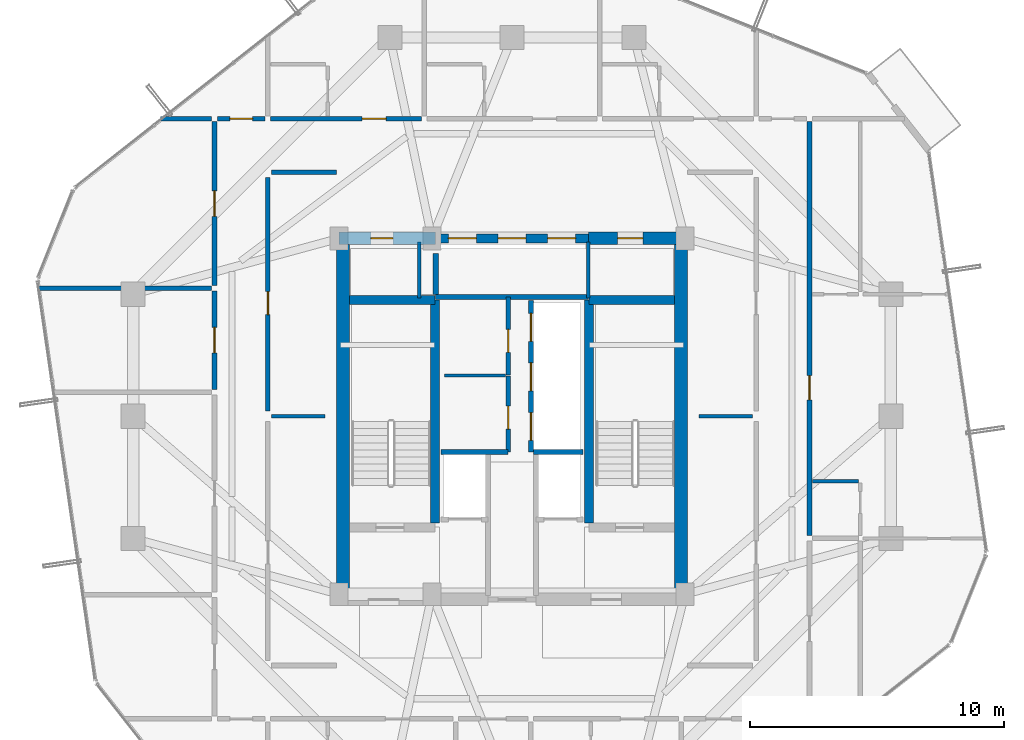
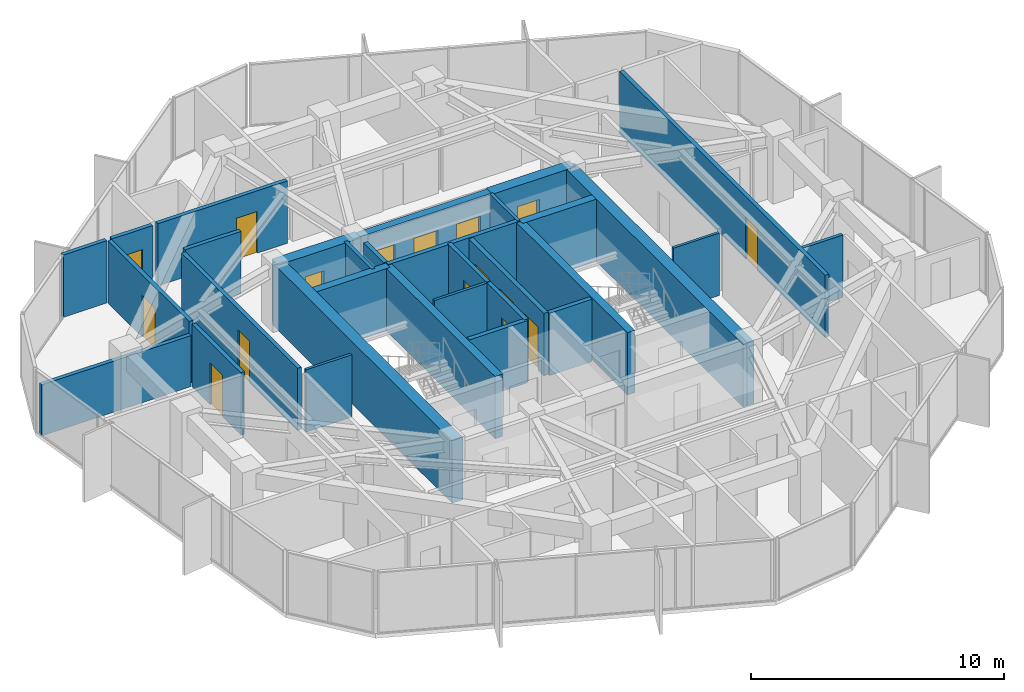
# One storey, part 28 of 31: 31 walls, 16 doors, 16 openings.
"""IFC4 building model written with IfcOpenShell, lengths in metres."""

from ifc_helpers import new_model, si_unit, direction, frame, frame_2d, origin, place, context, subcontext, project, spatial, rectangle, extrude, source, transform, mapped, material, layer, layer_set, type_object, element, fill, save


model = new_model("IFC4")

# Units and contexts
model_context = context("Model", 3, precision=1e-05, world=origin(), true_north=direction((0.0, 1.0)))
body_context = subcontext(model_context, "Body", "Model", "MODEL_VIEW")
ifc_project = project(units=[si_unit("LENGTHUNIT", "METRE"), si_unit("AREAUNIT", "SQUARE_METRE"), si_unit("VOLUMEUNIT", "CUBIC_METRE"), si_unit("PLANEANGLEUNIT", "RADIAN"), si_unit("MASSUNIT", "GRAM", prefix="KILO")], contexts=[model_context])

# Site, building, storey
site_placement = place(None, origin())
site = spatial("IfcSite", under=ifc_project, at=site_placement, CompositionType="ELEMENT")
building_placement = place(site_placement, origin())
building = spatial("IfcBuilding", under=site, at=building_placement, Name="Veraguas Prism Commons", CompositionType="ELEMENT")
storey_placement = place(building_placement, frame((0.0, 0.0, 178.85009765625)))
storey = spatial("IfcBuildingStorey", under=building, at=storey_placement, Name="L50", CompositionType="ELEMENT", Elevation=178.85009765625)

# Wall, openings, doors
ifc_material_1 = material(Name="Concrete C50/60", Category="concrete")
ifc_layer_1 = layer(ifc_material_1, 0.35009765625, Name="Core Internal Shear Wall Upper RC 350", Category="concrete")
ifc_layer_set_1 = layer_set([ifc_layer_1], Name="Concrete C50/60")
wall_type_1 = type_object("IfcWallType", Name="Core Internal Shear Wall Upper RC 350", PredefinedType="SHEAR", material=ifc_layer_set_1)
wall_1_placement = place(storey_placement, frame((21.0, 31.0, 0.0), z_axis=(0.0, 0.0, 1.0), x_axis=(1.0, 0.0, 0.0)))
wall_1 = element("IfcWall", 1, at=wall_1_placement, inside=storey, type_object=wall_type_1, Name="High-Rise Lift Bank Front Shear Wall L50", PredefinedType="SHEAR", context=body_context, shape_type="SweptSolid", body=[
    extrude(rectangle(XDim=6.0, YDim=0.35009765625, at=frame_2d((3.0, 0.0))), origin(), (0.0, 0.0, 1.0), 3.014892578125),
])
opening_1_placement = place(wall_1_placement, frame((0.5, 0.0, 0.0)))
opening_1 = element("IfcOpeningElement", 2, at=opening_1_placement, cuts=wall_1, Name="Opening LD-01", PredefinedType="OPENING", context=body_context, shape_type="SweptSolid", body=[
    extrude(rectangle(XDim=1.10009765625, YDim=2.080078125, at=frame_2d((0.550048828125, 1.0400390625))), frame((0.0, 0.18505859375, 0.0), z_axis=(0.0, -1.0, 0.0), x_axis=(1.0, 0.0, 0.0)), (0.0, 0.0, 1.0), 0.3701171875),
])
opening_2_placement = place(wall_1_placement, frame((2.449951171875, 0.0, 0.0)))
opening_2 = element("IfcOpeningElement", 3, at=opening_2_placement, cuts=wall_1, Name="Opening LD-01", PredefinedType="OPENING", context=body_context, shape_type="SweptSolid", body=[
    extrude(rectangle(XDim=1.10009765625, YDim=2.080078125, at=frame_2d((0.550048828125, 1.0400390625))), frame((0.0, 0.18505859375, 0.0), z_axis=(0.0, -1.0, 0.0), x_axis=(1.0, 0.0, 0.0)), (0.0, 0.0, 1.0), 0.3701171875),
])
opening_3_placement = place(wall_1_placement, frame((4.39990234375, 0.0, 0.0)))
opening_3 = element("IfcOpeningElement", 4, at=opening_3_placement, cuts=wall_1, Name="Opening LD-01", PredefinedType="OPENING", context=body_context, shape_type="SweptSolid", body=[
    extrude(rectangle(XDim=1.10009765625, YDim=2.080078125, at=frame_2d((0.550048828125, 1.0400390625))), frame((0.0, 0.18505859375, 0.0), z_axis=(0.0, -1.0, 0.0), x_axis=(1.0, 0.0, 0.0)), (0.0, 0.0, 1.0), 0.3701171875),
])
ifc_material_2 = material(Name="Stainless steel AISI 316", Category="steel")
door_type_1 = type_object("IfcDoorType", Name="Passenger Lift Sliding Landing Door 1100x2080", OperationType="NOTDEFINED", PredefinedType="DOOR", material=ifc_material_2)
shared_shape_1 = source(origin(), body_context, "Body", "SweptSolid", [
    extrude(rectangle(XDim=1.10009765625, YDim=2.080078125, at=frame_2d((0.550048828125, 1.0400390625))), frame((0.0, 0.02490234375, 0.0), z_axis=(0.0, -1.0, 0.0), x_axis=(1.0, 0.0, 0.0)), (0.0, 0.0, 1.0), 0.050048828125),
])
door_1_placement = place(opening_1_placement, origin())
door_1 = element("IfcDoor", 5, at=door_1_placement, inside=storey, type_object=door_type_1, Name="Sliding Landing Door PL-H1 L50", OperationType="SLIDING_TO_LEFT", OverallHeight=2.080078125, OverallWidth=1.10009765625, PredefinedType="DOOR", context=body_context, shape_type="MappedRepresentation", body=[
    mapped(shared_shape_1, transform((0.0, 0.0, 0.0), scale=1.0)),
])
fill(opening_1, door_1)
door_2_placement = place(opening_2_placement, origin())
door_2 = element("IfcDoor", 6, at=door_2_placement, inside=storey, type_object=door_type_1, Name="Sliding Landing Door PL-H2 L50", OperationType="SLIDING_TO_LEFT", OverallHeight=2.080078125, OverallWidth=1.10009765625, PredefinedType="DOOR", context=body_context, shape_type="MappedRepresentation", body=[
    mapped(shared_shape_1, transform((0.0, 0.0, 0.0), scale=1.0)),
])
fill(opening_2, door_2)
door_3_placement = place(opening_3_placement, origin())
door_3 = element("IfcDoor", 7, at=door_3_placement, inside=storey, type_object=door_type_1, Name="Sliding Landing Door PL-H3 L50", OperationType="SLIDING_TO_LEFT", OverallHeight=2.080078125, OverallWidth=1.10009765625, PredefinedType="DOOR", context=body_context, shape_type="MappedRepresentation", body=[
    mapped(shared_shape_1, transform((0.0, 0.0, 0.0), scale=1.0)),
])
fill(opening_3, door_3)

# Walls
for number, where, z_axis, x_axis, name in (
    (8, (20.97509765625, 19.800048828125, 0.0), (0.0, 0.0, 1.0), (0.0, 1.0, 0.0), "Stair ST-01 Inner Shear Wall L50"),
    (9, (27.02490234375, 19.800048828125, 0.0), (0.0, 0.0, 1.0), (0.0, 1.0, 0.0), "Stair ST-02 Inner Shear Wall L50"),
):
    element("IfcWall", number, at=place(storey_placement, frame(where, z_axis=z_axis, x_axis=x_axis)), inside=storey, type_object=wall_type_1, Name=name, PredefinedType="SHEAR", context=body_context, shape_type="SweptSolid", body=[
        extrude(rectangle(XDim=8.77490234375, YDim=0.35009765625, at=frame_2d((4.387451171875, 0.0))), origin(), (0.0, 0.0, 1.0), 3.014892578125),
    ])
for number, where, z_axis, x_axis, name in (
    (10, (17.60009765625, 28.574951171875, 0.0), (0.0, 0.0, 1.0), (1.0, 0.0, 0.0), "Stair ST-01 North Shear Wall L50"),
    (11, (27.02490234375, 28.574951171875, 0.0), (0.0, 0.0, 1.0), (1.0, 0.0, 0.0), "Stair ST-02 North Shear Wall L50"),
):
    element("IfcWall", number, at=place(storey_placement, frame(where, z_axis=z_axis, x_axis=x_axis)), inside=storey, type_object=wall_type_1, Name=name, PredefinedType="SHEAR", context=body_context, shape_type="SweptSolid", body=[
        extrude(rectangle(XDim=3.375, YDim=0.35009765625, at=frame_2d((1.6875, 0.0))), origin(), (0.0, 0.0, 1.0), 3.014892578125),
    ])
ifc_layer_2 = layer(ifc_material_1, 0.5, Name="Core Outer Shear Wall Upper RC 500", Category="concrete")
ifc_layer_set_2 = layer_set([ifc_layer_2], Name="Concrete C50/60")
wall_type_2 = type_object("IfcWallType", Name="Core Outer Shear Wall Upper RC 500", PredefinedType="SHEAR", material=ifc_layer_set_2)
for number, where, z_axis, x_axis, name in (
    (12, (17.35009765625, 16.800048828125, 0.0), (0.0, 0.0, 1.0), (0.0, 1.0, 0.0), "Central Core West Shear Wall L50"),
    (13, (30.64990234375, 16.800048828125, 0.0), (0.0, 0.0, 1.0), (0.0, 1.0, 0.0), "Central Core East Shear Wall L50"),
):
    element("IfcWall", number, at=place(storey_placement, frame(where, z_axis=z_axis, x_axis=x_axis)), inside=storey, type_object=wall_type_2, Name=name, PredefinedType="SHEAR", context=body_context, shape_type="SweptSolid", body=[
        extrude(rectangle(XDim=14.199951171875, YDim=0.5, at=frame_2d((7.10009765625, 0.0))), origin(), (0.0, 0.0, 1.0), 3.014892578125),
    ])

# Wall, opening, door
wall_2_placement = place(storey_placement, frame((17.199951171875, 31.0, 0.0), z_axis=(0.0, 0.0, 1.0), x_axis=(1.0, 0.0, 0.0)))
wall_2 = element("IfcWall", 14, at=wall_2_placement, inside=storey, type_object=wall_type_2, Name="Central Core North-West Shear Wall L50", PredefinedType="SHEAR", context=body_context, shape_type="SweptSolid", body=[
    extrude(rectangle(XDim=3.800048828125, YDim=0.5, at=frame_2d((1.89990234375, 0.0))), origin(), (0.0, 0.0, 1.0), 3.014892578125),
])
opening_4_placement = place(wall_2_placement, frame((1.25, 0.0, 0.0)))
opening_4 = element("IfcOpeningElement", 15, at=opening_4_placement, cuts=wall_2, Name="Opening DR-12", PredefinedType="OPENING", context=body_context, shape_type="SweptSolid", body=[
    extrude(rectangle(XDim=0.860107421875, YDim=2.010009765625, at=frame_2d((0.43017578125, 1.0048828125))), frame((0.0, 0.260009765625, 0.0), z_axis=(0.0, -1.0, 0.0), x_axis=(1.0, 0.0, 0.0)), (0.0, 0.0, 1.0), 0.52001953125),
])
ifc_material_3 = material(Name="Steel fire-rated door assembly", Category="steel")
door_type_2 = type_object("IfcDoorType", Name="Core WC Fire Door 860x2010", OperationType="NOTDEFINED", PredefinedType="DOOR", material=ifc_material_3)
shared_shape_2 = source(origin(), body_context, "Body", "SweptSolid", [
    extrude(rectangle(XDim=0.860107421875, YDim=2.010009765625, at=frame_2d((0.43017578125, 1.0048828125))), frame((0.0, 0.02490234375, 0.0), z_axis=(0.0, -1.0, 0.0), x_axis=(1.0, 0.0, 0.0)), (0.0, 0.0, 1.0), 0.050048828125),
])
door_4_placement = place(opening_4_placement, origin())
door_4 = element("IfcDoor", 16, at=door_4_placement, inside=storey, type_object=door_type_2, Name="Core NW Service Door L50", OperationType="SINGLE_SWING_LEFT", OverallHeight=2.010009765625, OverallWidth=0.860107421875, PredefinedType="DOOR", context=body_context, shape_type="MappedRepresentation", body=[
    mapped(shared_shape_2, transform((0.0, 0.0, 0.0), scale=1.0)),
])
fill(opening_4, door_4)

wall_3_placement = place(storey_placement, frame((27.0, 31.0, 0.0), z_axis=(0.0, 0.0, 1.0), x_axis=(1.0, 0.0, 0.0)))
wall_3 = element("IfcWall", 17, at=wall_3_placement, inside=storey, type_object=wall_type_2, Name="Central Core North-East Shear Wall L50", PredefinedType="SHEAR", context=body_context, shape_type="SweptSolid", body=[
    extrude(rectangle(XDim=3.800048828125, YDim=0.5, at=frame_2d((1.89990234375, 0.0))), origin(), (0.0, 0.0, 1.0), 3.014892578125),
])
opening_5_placement = place(wall_3_placement, frame((1.14990234375, 0.0, 0.0)))
opening_5 = element("IfcOpeningElement", 18, at=opening_5_placement, cuts=wall_3, Name="Opening DR-13", PredefinedType="OPENING", context=body_context, shape_type="SweptSolid", body=[
    extrude(rectangle(XDim=1.0, YDim=2.010009765625, at=frame_2d((0.5, 1.0048828125))), frame((0.0, 0.260009765625, 0.0), z_axis=(0.0, -1.0, 0.0), x_axis=(1.0, 0.0, 0.0)), (0.0, 0.0, 1.0), 0.52001953125),
])
door_type_3 = type_object("IfcDoorType", Name="Core Accessible WC and Clinic Fire Door 1000x2010", OperationType="NOTDEFINED", PredefinedType="DOOR", material=ifc_material_3)
shared_shape_3 = source(origin(), body_context, "Body", "SweptSolid", [
    extrude(rectangle(XDim=1.0, YDim=2.010009765625, at=frame_2d((0.5, 1.0048828125))), frame((0.0, 0.02490234375, 0.0), z_axis=(0.0, -1.0, 0.0), x_axis=(1.0, 0.0, 0.0)), (0.0, 0.0, 1.0), 0.050048828125),
])
door_5_placement = place(opening_5_placement, origin())
door_5 = element("IfcDoor", 19, at=door_5_placement, inside=storey, type_object=door_type_3, Name="Core NE Pantry Door L50", OperationType="SINGLE_SWING_RIGHT", OverallHeight=2.010009765625, OverallWidth=1.0, PredefinedType="DOOR", context=body_context, shape_type="MappedRepresentation", body=[
    mapped(shared_shape_3, transform((0.0, 0.0, 0.0), scale=1.0)),
])
fill(opening_5, door_5)

ifc_material_4 = material(Name="Autoclaved aerated masonry block 10 MPa", Category="masonry")
ifc_layer_3 = layer(ifc_material_4, 0.179931640625, Name="Corridor and Inter-Tenancy Partition 180", Category="masonry")
ifc_layer_set_3 = layer_set([ifc_layer_3], Name="Autoclaved aerated masonry block 10 MPa")
wall_type_3 = type_object("IfcWallType", Name="Corridor and Inter-Tenancy Partition 180", PredefinedType="PARTITIONING", material=ifc_layer_set_3)
wall_4_placement = place(storey_placement, frame((23.85009765625, 22.60009765625, 0.0), z_axis=(0.0, 0.0, 1.0), x_axis=(0.0, 1.0, 0.0)))
wall_4 = element("IfcWall", 20, at=wall_4_placement, inside=storey, type_object=wall_type_3, Name="Co-op Pantry Partition L50", PredefinedType="PARTITIONING", context=body_context, shape_type="SweptSolid", body=[
    extrude(rectangle(XDim=2.97998046875, YDim=0.179931640625, at=frame_2d((1.489990234375, 0.0))), origin(), (0.0, 0.0, 1.0), 3.014892578125),
])
opening_6_placement = place(wall_4_placement, frame((0.89990234375, 0.0, 0.0)))
opening_6 = element("IfcOpeningElement", 21, at=opening_6_placement, cuts=wall_4, Name="Opening DR-14", PredefinedType="OPENING", context=body_context, shape_type="SweptSolid", body=[
    extrude(rectangle(XDim=0.89990234375, YDim=2.010009765625, at=frame_2d((0.449951171875, 1.0048828125))), frame((0.0, 0.099853515625, 0.0), z_axis=(0.0, -1.0, 0.0), x_axis=(1.0, 0.0, 0.0)), (0.0, 0.0, 1.0), 0.199951171875),
])
door_type_4 = type_object("IfcDoorType", Name="Core Service Room Fire Door 900x2010", OperationType="NOTDEFINED", PredefinedType="DOOR", material=ifc_material_3)
shared_shape_4 = source(origin(), body_context, "Body", "SweptSolid", [
    extrude(rectangle(XDim=0.89990234375, YDim=2.010009765625, at=frame_2d((0.449951171875, 1.0048828125))), frame((0.0, 0.02490234375, 0.0), z_axis=(0.0, -1.0, 0.0), x_axis=(1.0, 0.0, 0.0)), (0.0, 0.0, 1.0), 0.050048828125),
])
door_6_placement = place(opening_6_placement, origin())
door_6 = element("IfcDoor", 22, at=door_6_placement, inside=storey, type_object=door_type_4, Name="Co-op Pantry Door L50", OperationType="SINGLE_SWING_LEFT", OverallHeight=2.010009765625, OverallWidth=0.89990234375, PredefinedType="DOOR", context=body_context, shape_type="MappedRepresentation", body=[
    mapped(shared_shape_4, transform((0.0, 0.0, 0.0), scale=1.0)),
])
fill(opening_6, door_6)

wall_5_placement = place(storey_placement, frame((23.85009765625, 25.6201171875, 0.0), z_axis=(0.0, 0.0, 1.0), x_axis=(0.0, 1.0, 0.0)))
wall_5 = element("IfcWall", 23, at=wall_5_placement, inside=storey, type_object=wall_type_3, Name="Bookshop Alcove Partition L50", PredefinedType="PARTITIONING", context=body_context, shape_type="SweptSolid", body=[
    extrude(rectangle(XDim=3.079833984375, YDim=0.179931640625, at=frame_2d((1.5400390625, 0.0))), origin(), (0.0, 0.0, 1.0), 3.014892578125),
])
opening_7_placement = place(wall_5_placement, frame((0.89990234375, 0.0, 0.0)))
opening_7 = element("IfcOpeningElement", 24, at=opening_7_placement, cuts=wall_5, Name="Opening DR-14", PredefinedType="OPENING", context=body_context, shape_type="SweptSolid", body=[
    extrude(rectangle(XDim=0.89990234375, YDim=2.010009765625, at=frame_2d((0.449951171875, 1.0048828125))), frame((0.0, 0.099853515625, 0.0), z_axis=(0.0, -1.0, 0.0), x_axis=(1.0, 0.0, 0.0)), (0.0, 0.0, 1.0), 0.199951171875),
])
door_7_placement = place(opening_7_placement, origin())
door_7 = element("IfcDoor", 25, at=door_7_placement, inside=storey, type_object=door_type_4, Name="Bookshop Alcove Door L50", OperationType="SINGLE_SWING_RIGHT", OverallHeight=2.010009765625, OverallWidth=0.89990234375, PredefinedType="DOOR", context=body_context, shape_type="MappedRepresentation", body=[
    mapped(shared_shape_4, transform((0.0, 0.0, 0.0), scale=1.0)),
])
fill(opening_7, door_7)

wall_6_placement = place(storey_placement, frame((14.39990234375, 24.199951171875, 0.0), z_axis=(0.0, 0.0, 1.0), x_axis=(0.0, 1.0, 0.0)))
wall_6 = element("IfcWall", 26, at=wall_6_placement, inside=storey, type_object=wall_type_3, Name="WL-L50-IRW2", PredefinedType="PARTITIONING", context=body_context, shape_type="SweptSolid", body=[
    extrude(rectangle(XDim=9.199951171875, YDim=0.179931640625, at=frame_2d((4.60009765625, 0.0))), origin(), (0.0, 0.0, 1.0), 3.014892578125),
])
opening_8_placement = place(wall_6_placement, frame((3.800048828125, 0.0, 0.0)))
opening_8 = element("IfcOpeningElement", 27, at=opening_8_placement, cuts=wall_6, Name="Opening DR-14", PredefinedType="OPENING", context=body_context, shape_type="SweptSolid", body=[
    extrude(rectangle(XDim=0.89990234375, YDim=2.010009765625, at=frame_2d((0.449951171875, 1.0048828125))), frame((0.0, 0.099853515625, 0.0), z_axis=(0.0, -1.0, 0.0), x_axis=(1.0, 0.0, 0.0)), (0.0, 0.0, 1.0), 0.199951171875),
])
door_8_placement = place(opening_8_placement, origin())
door_8 = element("IfcDoor", 28, at=door_8_placement, inside=storey, type_object=door_type_4, Name="Co-op Cycle and Pram Store Door L50", OperationType="SINGLE_SWING_RIGHT", OverallHeight=2.010009765625, OverallWidth=0.89990234375, PredefinedType="DOOR", context=body_context, shape_type="MappedRepresentation", body=[
    mapped(shared_shape_4, transform((0.0, 0.0, 0.0), scale=1.0)),
])
fill(opening_8, door_8)

# Wall
wall_7_placement = place(storey_placement, frame((14.550048828125, 33.60009765625, 0.0), z_axis=(0.0, 0.0, 1.0), x_axis=(1.0, 0.0, 0.0)))
element("IfcWall", 29, at=wall_7_placement, inside=storey, type_object=wall_type_3, Name="WL-L50-IRWN", PredefinedType="PARTITIONING", context=body_context, shape_type="SweptSolid", body=[
    extrude(rectangle(XDim=2.550048828125, YDim=0.179931640625, at=frame_2d((1.27490234375, 0.0))), origin(), (0.0, 0.0, 1.0), 3.014892578125),
])

# Wall, opening, door
wall_8_placement = place(storey_placement, frame((14.510009765625, 35.699951171875, 0.0), z_axis=(0.0, 0.0, 1.0), x_axis=(1.0, 0.0, 0.0)))
wall_8 = element("IfcWall", 30, at=wall_8_placement, inside=storey, type_object=wall_type_3, Name="WL-L50-PT016", PredefinedType="PARTITIONING", context=body_context, shape_type="SweptSolid", body=[
    extrude(rectangle(XDim=5.93603515625, YDim=0.179931640625, at=frame_2d((2.968017578125, 0.0))), origin(), (0.0, 0.0, 1.0), 3.014892578125),
])
opening_9_placement = place(wall_8_placement, frame((3.593505859375, 0.0, 0.0)))
opening_9 = element("IfcOpeningElement", 31, at=opening_9_placement, cuts=wall_8, Name="Opening DR-01", PredefinedType="OPENING", context=body_context, shape_type="SweptSolid", body=[
    extrude(rectangle(XDim=0.949951171875, YDim=2.02001953125, at=frame_2d((0.47509765625, 1.010009765625))), frame((0.0, 0.099853515625, 0.0), z_axis=(0.0, -1.0, 0.0), x_axis=(1.0, 0.0, 0.0)), (0.0, 0.0, 1.0), 0.199951171875),
])
ifc_material_5 = material(Name="Anodised aluminium EN AW-6063 T6", Category="aluminium")
door_type_5 = type_object("IfcDoorType", Name="Apartment Entrance Fire Door 950x2020", OperationType="NOTDEFINED", PredefinedType="DOOR", material=ifc_material_5)
shared_shape_5 = source(origin(), body_context, "Body", "SweptSolid", [
    extrude(rectangle(XDim=0.949951171875, YDim=2.02001953125, at=frame_2d((0.47509765625, 1.010009765625))), frame((0.0, 0.02490234375, 0.0), z_axis=(0.0, -1.0, 0.0), x_axis=(1.0, 0.0, 0.0)), (0.0, 0.0, 1.0), 0.050048828125),
])
door_9_placement = place(opening_9_placement, origin())
door_9 = element("IfcDoor", 32, at=door_9_placement, inside=storey, type_object=door_type_5, Name="Studio 50C Entrance Door", OperationType="SINGLE_SWING_LEFT", OverallHeight=2.02001953125, OverallWidth=0.949951171875, PredefinedType="DOOR", context=body_context, shape_type="MappedRepresentation", body=[
    mapped(shared_shape_5, transform((0.0, 0.0, 0.0), scale=1.0)),
])
fill(opening_9, door_9)

# Wall
wall_9_placement = place(storey_placement, frame((12.179931640625, 35.699951171875, 0.0), z_axis=(0.0, 0.0, 1.0), x_axis=(-1.0, 0.0, 0.0)))
element("IfcWall", 33, at=wall_9_placement, inside=storey, type_object=wall_type_3, Name="WL-L50-PT028", PredefinedType="PARTITIONING", context=body_context, shape_type="SweptSolid", body=[
    extrude(rectangle(XDim=1.996826171875, YDim=0.179931640625, at=frame_2d((0.99853515625, 0.0))), origin(), (0.0, 0.0, 1.0), 3.014892578125),
])

# Wall, opening, door
wall_10_placement = place(storey_placement, frame((12.300048828125, 25.06201171875, 0.0), z_axis=(0.0, 0.0, 1.0), x_axis=(0.0, 1.0, 0.0)))
wall_10 = element("IfcWall", 34, at=wall_10_placement, inside=storey, type_object=wall_type_3, Name="WL-L50-PT033", PredefinedType="PARTITIONING", context=body_context, shape_type="SweptSolid", body=[
    extrude(rectangle(XDim=3.864013671875, YDim=0.179931640625, at=frame_2d((1.93212890625, 0.0))), origin(), (0.0, 0.0, 1.0), 3.014892578125),
])
opening_10_placement = place(wall_10_placement, frame((1.431884765625, 0.0, 0.0)))
opening_10 = element("IfcOpeningElement", 35, at=opening_10_placement, cuts=wall_10, Name="Opening DR-13", PredefinedType="OPENING", context=body_context, shape_type="SweptSolid", body=[
    extrude(rectangle(XDim=1.0, YDim=2.010009765625, at=frame_2d((0.5, 1.0048828125))), frame((0.0, 0.099853515625, 0.0), z_axis=(0.0, -1.0, 0.0), x_axis=(1.0, 0.0, 0.0)), (0.0, 0.0, 1.0), 0.199951171875),
])
door_10_placement = place(opening_10_placement, origin())
door_10 = element("IfcDoor", 36, at=door_10_placement, inside=storey, type_object=door_type_3, Name="Youth Homework Study Room Door", OperationType="SINGLE_SWING_LEFT", OverallHeight=2.010009765625, OverallWidth=1.0, PredefinedType="DOOR", context=body_context, shape_type="MappedRepresentation", body=[
    mapped(shared_shape_3, transform((0.0, 0.0, 0.0), scale=1.0)),
])
fill(opening_10, door_10)

wall_11_placement = place(storey_placement, frame((12.300048828125, 29.14599609375, 0.0), z_axis=(0.0, 0.0, 1.0), x_axis=(0.0, 1.0, 0.0)))
wall_11 = element("IfcWall", 37, at=wall_11_placement, inside=storey, type_object=wall_type_3, Name="WL-L50-PT034", PredefinedType="PARTITIONING", context=body_context, shape_type="SweptSolid", body=[
    extrude(rectangle(XDim=6.444091796875, YDim=0.179931640625, at=frame_2d((3.22216796875, 0.0))), origin(), (0.0, 0.0, 1.0), 3.014892578125),
])
opening_11_placement = place(wall_11_placement, frame((2.721923828125, 0.0, 0.0)))
opening_11 = element("IfcOpeningElement", 38, at=opening_11_placement, cuts=wall_11, Name="Opening DR-13", PredefinedType="OPENING", context=body_context, shape_type="SweptSolid", body=[
    extrude(rectangle(XDim=1.0, YDim=2.010009765625, at=frame_2d((0.5, 1.0048828125))), frame((0.0, 0.099853515625, 0.0), z_axis=(0.0, -1.0, 0.0), x_axis=(1.0, 0.0, 0.0)), (0.0, 0.0, 1.0), 0.199951171875),
])
door_11_placement = place(opening_11_placement, origin())
door_11 = element("IfcDoor", 39, at=door_11_placement, inside=storey, type_object=door_type_3, Name="Co-op Store W Door", OperationType="SINGLE_SWING_RIGHT", OverallHeight=2.010009765625, OverallWidth=1.0, PredefinedType="DOOR", context=body_context, shape_type="MappedRepresentation", body=[
    mapped(shared_shape_3, transform((0.0, 0.0, 0.0), scale=1.0)),
])
fill(opening_11, door_11)

# Wall
wall_12_placement = place(storey_placement, frame((12.179931640625, 29.035888671875, 0.0), z_axis=(0.0, 0.0, 1.0), x_axis=(-1.0, 0.0, 0.0)))
element("IfcWall", 40, at=wall_12_placement, inside=storey, type_object=wall_type_3, Name="WL-L50-PT035", PredefinedType="PARTITIONING", context=body_context, shape_type="SweptSolid", body=[
    extrude(rectangle(XDim=6.831787109375, YDim=0.179931640625, at=frame_2d((3.416015625, 0.0))), origin(), (0.0, 0.0, 1.0), 2.468994140625),
])

# Wall, opening, door
wall_13_placement = place(storey_placement, frame((35.699951171875, 19.31005859375, 0.0), z_axis=(0.0, 0.0, 1.0), x_axis=(0.0, 1.0, 0.0)))
wall_13 = element("IfcWall", 41, at=wall_13_placement, inside=storey, type_object=wall_type_3, Name="WL-L50-PT039", PredefinedType="PARTITIONING", context=body_context, shape_type="SweptSolid", body=[
    extrude(rectangle(XDim=16.280029296875, YDim=0.179931640625, at=frame_2d((8.14013671875, 0.0))), origin(), (0.0, 0.0, 1.0), 3.014892578125),
])
opening_12_placement = place(wall_13_placement, frame((5.340087890625, 0.0, 0.0)))
opening_12 = element("IfcOpeningElement", 42, at=opening_12_placement, cuts=wall_13, Name="Opening DR-01", PredefinedType="OPENING", context=body_context, shape_type="SweptSolid", body=[
    extrude(rectangle(XDim=0.949951171875, YDim=2.02001953125, at=frame_2d((0.47509765625, 1.010009765625))), frame((0.0, 0.099853515625, 0.0), z_axis=(0.0, -1.0, 0.0), x_axis=(1.0, 0.0, 0.0)), (0.0, 0.0, 1.0), 0.199951171875),
])
door_12_placement = place(opening_12_placement, origin())
door_12 = element("IfcDoor", 43, at=door_12_placement, inside=storey, type_object=door_type_5, Name="Flat 50F Entrance Door", OperationType="SINGLE_SWING_RIGHT", OverallHeight=2.02001953125, OverallWidth=0.949951171875, PredefinedType="DOOR", context=body_context, shape_type="MappedRepresentation", body=[
    mapped(shared_shape_5, transform((0.0, 0.0, 0.0), scale=1.0)),
])
fill(opening_12, door_12)

wall_14_placement = place(storey_placement, frame((12.419921875, 35.699951171875, 0.0), z_axis=(0.0, 0.0, 1.0), x_axis=(1.0, 0.0, 0.0)))
wall_14 = element("IfcWall", 44, at=wall_14_placement, inside=storey, type_object=wall_type_3, Name="WL-L50-PT050", PredefinedType="PARTITIONING", context=body_context, shape_type="SweptSolid", body=[
    extrude(rectangle(XDim=1.860107421875, YDim=0.179931640625, at=frame_2d((0.93017578125, 0.0))), origin(), (0.0, 0.0, 1.0), 3.014892578125),
])
opening_13_placement = place(wall_14_placement, frame((0.47998046875, 0.0, 0.0)))
opening_13 = element("IfcOpeningElement", 45, at=opening_13_placement, cuts=wall_14, Name="Opening DR-14", PredefinedType="OPENING", context=body_context, shape_type="SweptSolid", body=[
    extrude(rectangle(XDim=0.89990234375, YDim=2.010009765625, at=frame_2d((0.449951171875, 1.0048828125))), frame((0.0, 0.099853515625, 0.0), z_axis=(0.0, -1.0, 0.0), x_axis=(1.0, 0.0, 0.0)), (0.0, 0.0, 1.0), 0.199951171875),
])
door_13_placement = place(opening_13_placement, origin())
door_13 = element("IfcDoor", 46, at=door_13_placement, inside=storey, type_object=door_type_4, Name="Residents Study Room NW Door", OperationType="SINGLE_SWING_LEFT", OverallHeight=2.010009765625, OverallWidth=0.89990234375, PredefinedType="DOOR", context=body_context, shape_type="MappedRepresentation", body=[
    mapped(shared_shape_4, transform((0.0, 0.0, 0.0), scale=1.0)),
])
fill(opening_13, door_13)

# Walls
ifc_material_6 = material(Name="Lightweight acoustic gypsum board")
ifc_layer_4 = layer(ifc_material_6, 0.125, Name="Internal Apartment Room Partition 125")
ifc_layer_set_4 = layer_set([ifc_layer_4], Name="Lightweight acoustic gypsum board")
wall_type_4 = type_object("IfcWallType", Name="Internal Apartment Room Partition 125", PredefinedType="PARTITIONING", material=ifc_layer_set_4)
wall_15_placement = place(storey_placement, frame((21.35009765625, 25.60009765625, 0.0), z_axis=(0.0, 0.0, 1.0), x_axis=(1.0, 0.0, 0.0)))
element("IfcWall", 47, at=wall_15_placement, inside=storey, type_object=wall_type_4, Name="WL-L50-FRWLM", PredefinedType="PARTITIONING", context=body_context, shape_type="SweptSolid", body=[
    extrude(rectangle(XDim=2.39990234375, YDim=0.125, at=frame_2d((1.199951171875, 0.0))), origin(), (0.0, 0.0, 1.0), 3.014892578125),
])
for number, where, z_axis, x_axis, name in (
    (48, (14.550048828125, 24.0, 0.0), (0.0, 0.0, 1.0), (1.0, 0.0, 0.0), "WL-L50-IRWM"),
    (49, (31.35009765625, 24.0, 0.0), (0.0, 0.0, 1.0), (1.0, 0.0, 0.0), "WL-L50-IREM"),
):
    element("IfcWall", number, at=place(storey_placement, frame(where, z_axis=z_axis, x_axis=x_axis)), inside=storey, type_object=wall_type_4, Name=name, PredefinedType="PARTITIONING", context=body_context, shape_type="SweptSolid", body=[
        extrude(rectangle(XDim=2.099853515625, YDim=0.125, at=frame_2d((1.0498046875, 0.0))), origin(), (0.0, 0.0, 1.0), 3.014892578125),
    ])
ifc_layer_5 = layer(ifc_material_4, 0.199951171875, Name="Rated Shaft and Lobby Block Wall 200", Category="masonry")
ifc_layer_set_5 = layer_set([ifc_layer_5], Name="Autoclaved aerated masonry block 10 MPa")
wall_type_5 = type_object("IfcWallType", Name="Rated Shaft and Lobby Block Wall 200", PredefinedType="SOLIDWALL", material=ifc_layer_set_5)
wall_16_placement = place(storey_placement, frame((21.199951171875, 22.60009765625, 0.0), z_axis=(0.0, 0.0, 1.0), x_axis=(1.0, 0.0, 0.0)))
element("IfcWall", 50, at=wall_16_placement, inside=storey, type_object=wall_type_5, Name="Firefighting Lift FFL-1 Rear Wall L50", PredefinedType="SOLIDWALL", context=body_context, shape_type="SweptSolid", body=[
    extrude(rectangle(XDim=2.650146484375, YDim=0.199951171875, at=frame_2d((1.3251953125, 0.0))), origin(), (0.0, 0.0, 1.0), 3.014892578125),
])
wall_17_placement = place(storey_placement, frame((24.85009765625, 22.60009765625, 0.0), z_axis=(0.0, 0.0, 1.0), x_axis=(1.0, 0.0, 0.0)))
element("IfcWall", 51, at=wall_17_placement, inside=storey, type_object=wall_type_5, Name="Firefighting Lift FFL-2 Rear Wall L50", PredefinedType="SOLIDWALL", context=body_context, shape_type="SweptSolid", body=[
    extrude(rectangle(XDim=1.949951171875, YDim=0.199951171875, at=frame_2d((0.97509765625, 0.0))), origin(), (0.0, 0.0, 1.0), 3.014892578125),
])
wall_18_placement = place(storey_placement, frame((21.0, 28.699951171875, 0.0), z_axis=(0.0, 0.0, 1.0), x_axis=(1.0, 0.0, 0.0)))
element("IfcWall", 52, at=wall_18_placement, inside=storey, type_object=wall_type_5, Name="High-Rise Lift Bank Rear Shaft Wall L50", PredefinedType="SOLIDWALL", context=body_context, shape_type="SweptSolid", body=[
    extrude(rectangle(XDim=6.0, YDim=0.199951171875, at=frame_2d((3.0, 0.0))), origin(), (0.0, 0.0, 1.0), 3.014892578125),
])
wall_19_placement = place(storey_placement, frame((21.0, 28.800048828125, 0.0), z_axis=(0.0, 0.0, 1.0), x_axis=(0.0, 1.0, 0.0)))
element("IfcWall", 53, at=wall_19_placement, inside=storey, type_object=wall_type_5, Name="High-Rise Lift Bank West Shaft Wall L50", PredefinedType="SOLIDWALL", context=body_context, shape_type="SweptSolid", body=[
    extrude(rectangle(XDim=1.599853515625, YDim=0.199951171875, at=frame_2d((0.7998046875, 0.0))), origin(), (0.0, 0.0, 1.0), 3.014892578125),
])

# Wall, openings, doors
wall_20_placement = place(storey_placement, frame((24.75, 22.60009765625, 0.0), z_axis=(0.0, 0.0, 1.0), x_axis=(0.0, 1.0, 0.0)))
wall_20 = element("IfcWall", 54, at=wall_20_placement, inside=storey, type_object=wall_type_5, Name="Mid-Rise Lift Bank Front Wall L50", PredefinedType="SOLIDWALL", context=body_context, shape_type="SweptSolid", body=[
    extrude(rectangle(XDim=5.949951171875, YDim=0.199951171875, at=frame_2d((2.97509765625, 0.0))), origin(), (0.0, 0.0, 1.0), 3.014892578125),
])
opening_14_placement = place(wall_20_placement, frame((0.449951171875, 0.0, 0.0)))
opening_14 = element("IfcOpeningElement", 55, at=opening_14_placement, cuts=wall_20, Name="Opening LD-01", PredefinedType="OPENING", context=body_context, shape_type="SweptSolid", body=[
    extrude(rectangle(XDim=1.10009765625, YDim=2.080078125, at=frame_2d((0.550048828125, 1.0400390625))), frame((0.0, 0.10986328125, 0.0), z_axis=(0.0, -1.0, 0.0), x_axis=(1.0, 0.0, 0.0)), (0.0, 0.0, 1.0), 0.219970703125),
])
opening_15_placement = place(wall_20_placement, frame((2.39990234375, 0.0, 0.0)))
opening_15 = element("IfcOpeningElement", 56, at=opening_15_placement, cuts=wall_20, Name="Opening LD-01", PredefinedType="OPENING", context=body_context, shape_type="SweptSolid", body=[
    extrude(rectangle(XDim=1.10009765625, YDim=2.080078125, at=frame_2d((0.550048828125, 1.0400390625))), frame((0.0, 0.10986328125, 0.0), z_axis=(0.0, -1.0, 0.0), x_axis=(1.0, 0.0, 0.0)), (0.0, 0.0, 1.0), 0.219970703125),
])
opening_16_placement = place(wall_20_placement, frame((4.35009765625, 0.0, 0.0)))
opening_16 = element("IfcOpeningElement", 57, at=opening_16_placement, cuts=wall_20, Name="Opening LD-01", PredefinedType="OPENING", context=body_context, shape_type="SweptSolid", body=[
    extrude(rectangle(XDim=1.10009765625, YDim=2.080078125, at=frame_2d((0.550048828125, 1.0400390625))), frame((0.0, 0.10986328125, 0.0), z_axis=(0.0, -1.0, 0.0), x_axis=(1.0, 0.0, 0.0)), (0.0, 0.0, 1.0), 0.219970703125),
])
door_14_placement = place(opening_14_placement, origin())
door_14 = element("IfcDoor", 58, at=door_14_placement, inside=storey, type_object=door_type_1, Name="Sliding Landing Door PL-M1 L50", OperationType="SLIDING_TO_LEFT", OverallHeight=2.080078125, OverallWidth=1.10009765625, PredefinedType="DOOR", context=body_context, shape_type="MappedRepresentation", body=[
    mapped(shared_shape_1, transform((0.0, 0.0, 0.0), scale=1.0)),
])
fill(opening_14, door_14)
door_15_placement = place(opening_15_placement, origin())
door_15 = element("IfcDoor", 59, at=door_15_placement, inside=storey, type_object=door_type_1, Name="Sliding Landing Door PL-M2 L50", OperationType="SLIDING_TO_LEFT", OverallHeight=2.080078125, OverallWidth=1.10009765625, PredefinedType="DOOR", context=body_context, shape_type="MappedRepresentation", body=[
    mapped(shared_shape_1, transform((0.0, 0.0, 0.0), scale=1.0)),
])
fill(opening_15, door_15)
door_16_placement = place(opening_16_placement, origin())
door_16 = element("IfcDoor", 60, at=door_16_placement, inside=storey, type_object=door_type_1, Name="Sliding Landing Door PL-M3 L50", OperationType="SLIDING_TO_LEFT", OverallHeight=2.080078125, OverallWidth=1.10009765625, PredefinedType="DOOR", context=body_context, shape_type="MappedRepresentation", body=[
    mapped(shared_shape_1, transform((0.0, 0.0, 0.0), scale=1.0)),
])
fill(opening_16, door_16)

# Walls
ifc_layer_6 = layer(ifc_material_6, 0.14990234375, Name="Wet Room and Clinic Acoustic Partition 150")
ifc_layer_set_6 = layer_set([ifc_layer_6], Name="Lightweight acoustic gypsum board")
wall_type_6 = type_object("IfcWallType", Name="Wet Room and Clinic Acoustic Partition 150", PredefinedType="PARTITIONING", material=ifc_layer_set_6)
for number, where, z_axis, x_axis, name in (
    (61, (20.35009765625, 28.64990234375, 0.0), (0.0, 0.0, 1.0), (0.0, 1.0, 0.0), "Core NW Service Inner Wall L50"),
    (62, (27.0, 28.64990234375, 0.0), (0.0, 0.0, 1.0), (0.0, 1.0, 0.0), "Core NE Service Inner Wall L50"),
):
    element("IfcWall", number, at=place(storey_placement, frame(where, z_axis=z_axis, x_axis=x_axis)), inside=storey, type_object=wall_type_6, Name=name, PredefinedType="PARTITIONING", context=body_context, shape_type="SweptSolid", body=[
        extrude(rectangle(XDim=2.2001953125, YDim=0.14990234375, at=frame_2d((1.10009765625, 0.0))), origin(), (0.0, 0.0, 1.0), 3.014892578125),
    ])
wall_21_placement = place(storey_placement, frame((35.820068359375, 21.449951171875, 0.0), z_axis=(0.0, 0.0, 1.0), x_axis=(1.0, 0.0, 0.0)))
element("IfcWall", 63, at=wall_21_placement, inside=storey, type_object=wall_type_6, Name="WL-L50-PT043", PredefinedType="PARTITIONING", context=body_context, shape_type="SweptSolid", body=[
    extrude(rectangle(XDim=1.800048828125, YDim=0.14990234375, at=frame_2d((0.89990234375, 0.0))), origin(), (0.0, 0.0, 1.0), 3.014892578125),
])

save(model, "model.ifc")
